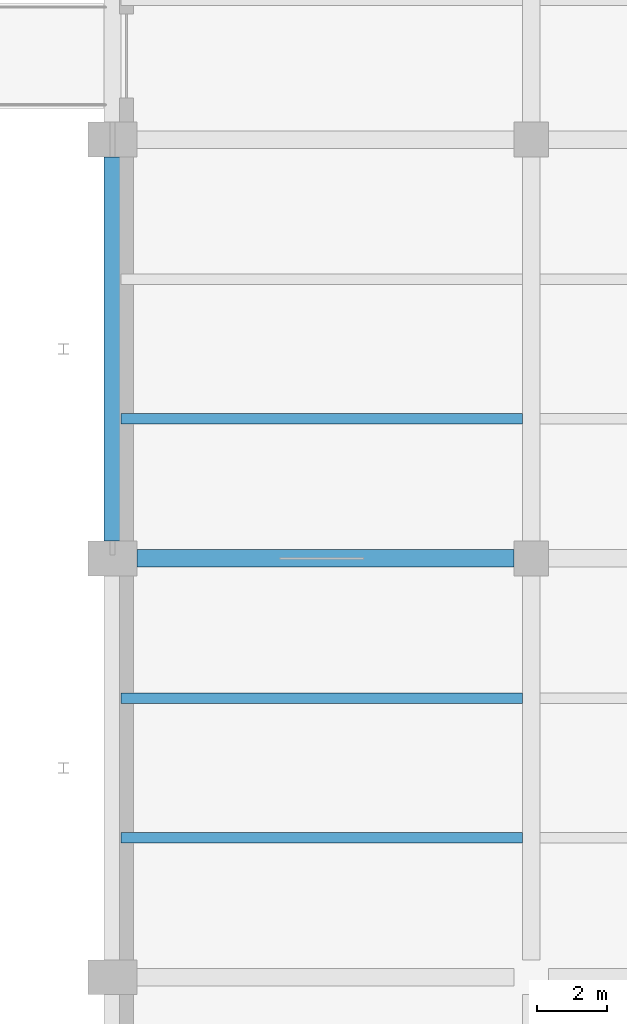
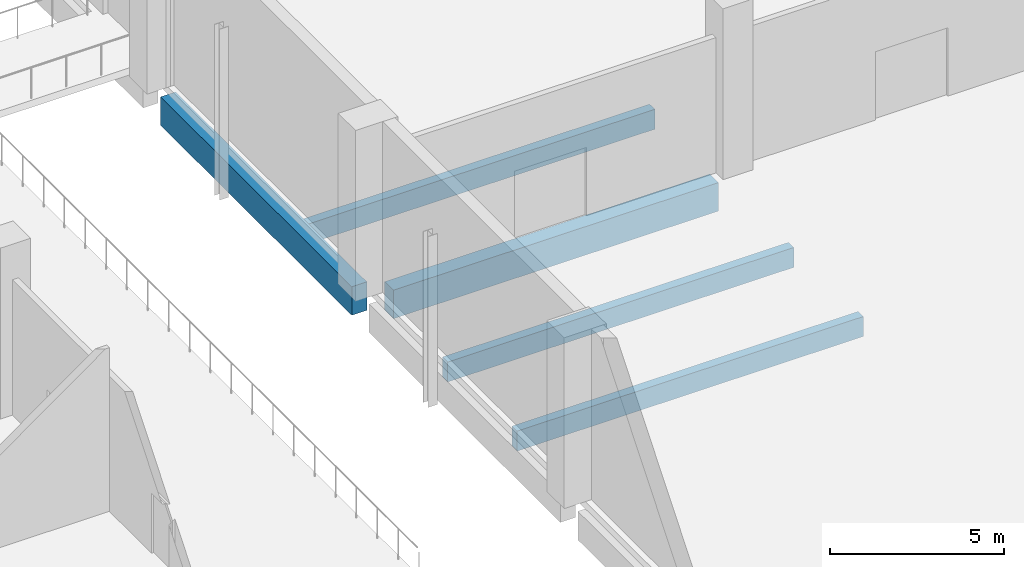
# One storey, part 31 of 72: 5 beams.
"""IFC4 building model written with IfcOpenShell, lengths in metres."""

from ifc_helpers import new_model, si_unit, direction, frame, origin, origin_2d, place, context, subcontext, project, spatial, rectangle, extrude, material, material_profile, profile_set, type_object, element, save


model = new_model("IFC4")

# Units and contexts
model_context = context("Model", 3, precision=1e-05, world=origin(), true_north=direction((0.0, 1.0)))
body_context = subcontext(model_context, "Body", "Model", "MODEL_VIEW")
ifc_project = project(units=[si_unit("LENGTHUNIT", "METRE"), si_unit("AREAUNIT", "SQUARE_METRE"), si_unit("VOLUMEUNIT", "CUBIC_METRE"), si_unit("PLANEANGLEUNIT", "RADIAN"), si_unit("MASSUNIT", "GRAM", prefix="KILO")], contexts=[model_context])

# Site, building, storey
site_placement = place(None, origin())
site = spatial("IfcSite", under=ifc_project, at=site_placement, CompositionType="ELEMENT")
building_placement = place(site_placement, origin())
building = spatial("IfcBuilding", under=site, at=building_placement, Name="Lilac Gate Convention Centre", CompositionType="ELEMENT")
storey_placement = place(building_placement, frame((0.0, 0.0, 6.0)))
storey = spatial("IfcBuildingStorey", under=building, at=storey_placement, Name="L01", CompositionType="ELEMENT", Elevation=6.0)

# Beams
ifc_material = material(Name="Concrete C40", Category="concrete")
ifc_material_profile_1 = material_profile(ifc_material, rectangle(XDim=0.5, YDim=1.0, at=origin_2d()), Name="RC 500x1000")
ifc_profile_set_1 = profile_set([ifc_material_profile_1], Name="Concrete C40")
beam_type_1 = type_object("IfcBeamType", Name="Primary beam 500x1000 C40", PredefinedType="BEAM", material=ifc_profile_set_1)
beam_1_placement = place(storey_placement, frame((30.699951171875, 198.0, -0.75), z_axis=(1.0, 0.0, 0.0), x_axis=(0.0, 1.0, 0.0)))
element("IfcBeam", 1, at=beam_1_placement, inside=storey, type_object=beam_type_1, Name="RB1 L01 3/Q-4/Q", PredefinedType="BEAM", context=body_context, shape_type="SweptSolid", body=[
    extrude(rectangle(XDim=0.5, YDim=1.0, at=origin_2d()), origin(), (0.0, 0.0, 1.0), 10.800048828125),
])
beam_2_placement = place(storey_placement, frame((30.0, 198.5, -0.75), z_axis=(0.0, 1.0, 0.0), x_axis=(-1.0, 0.0, 0.0)))
element("IfcBeam", 2, at=beam_2_placement, inside=storey, type_object=beam_type_1, Name="RB1 L01 3/Q-3/R", PredefinedType="BEAM", context=body_context, shape_type="SweptSolid", body=[
    extrude(rectangle(XDim=0.5, YDim=1.0, at=origin_2d()), origin(), (0.0, 0.0, 1.0), 11.0),
])
ifc_material_profile_2 = material_profile(ifc_material, rectangle(XDim=0.300048828125, YDim=0.699951171875, at=origin_2d()), Name="RC 300x700")
ifc_profile_set_2 = profile_set([ifc_material_profile_2], Name="Concrete C40")
beam_type_2 = type_object("IfcBeamType", Name="Secondary beam 300x700 C40", PredefinedType="BEAM", material=ifc_profile_set_2)
for number, where, z_axis, x_axis, name in (
    (3, (30.25, 190.0, -0.60009765625), (1.0, 0.0, 0.0), (0.0, 1.0, 0.0), "RB2 L01 bay 3/P"),
    (4, (30.25, 194.0, -0.60009765625), (1.0, 0.0, 0.0), (0.0, 1.0, 0.0), "RB2 L01 bay 3/P"),
    (5, (30.25, 202.0, -0.60009765625), (1.0, 0.0, 0.0), (0.0, 1.0, 0.0), "RB2 L01 bay 3/Q"),
):
    element("IfcBeam", number, at=place(storey_placement, frame(where, z_axis=z_axis, x_axis=x_axis)), inside=storey, type_object=beam_type_2, Name=name, PredefinedType="BEAM", context=body_context, shape_type="SweptSolid", body=[
        extrude(rectangle(XDim=0.300048828125, YDim=0.699951171875, at=origin_2d()), origin(), (0.0, 0.0, 1.0), 11.5),
    ])

save(model, "model.ifc")
